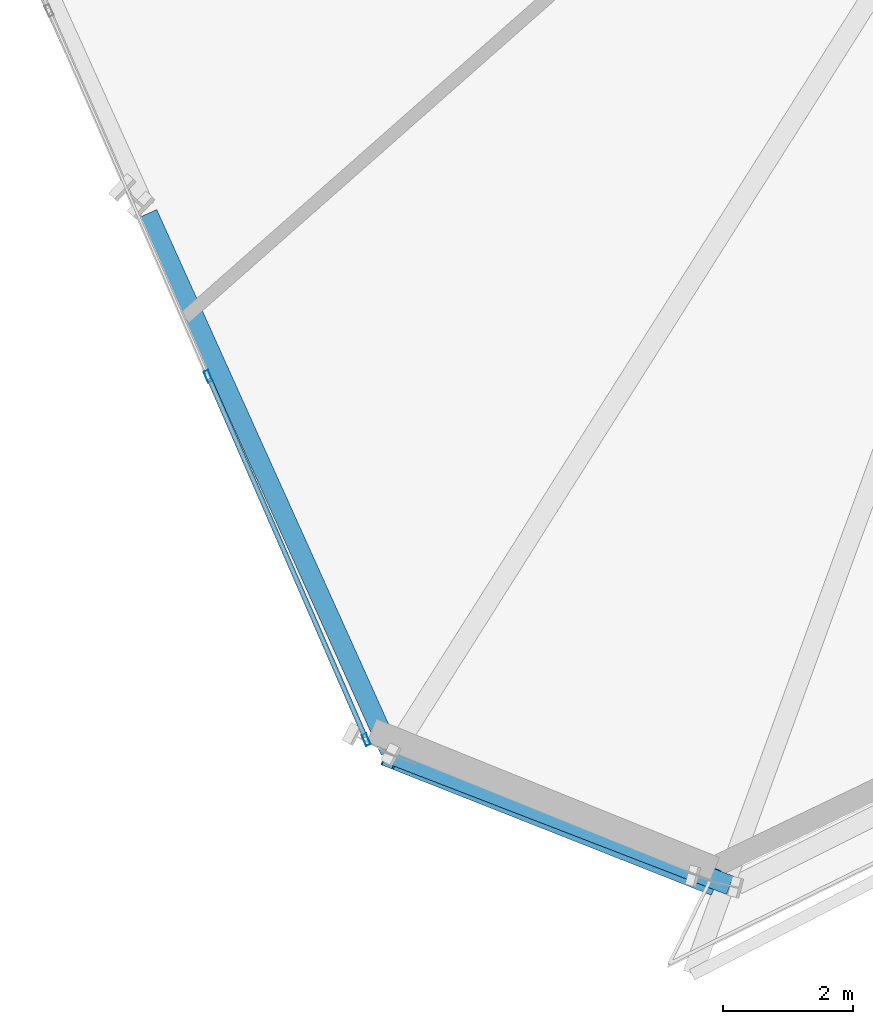
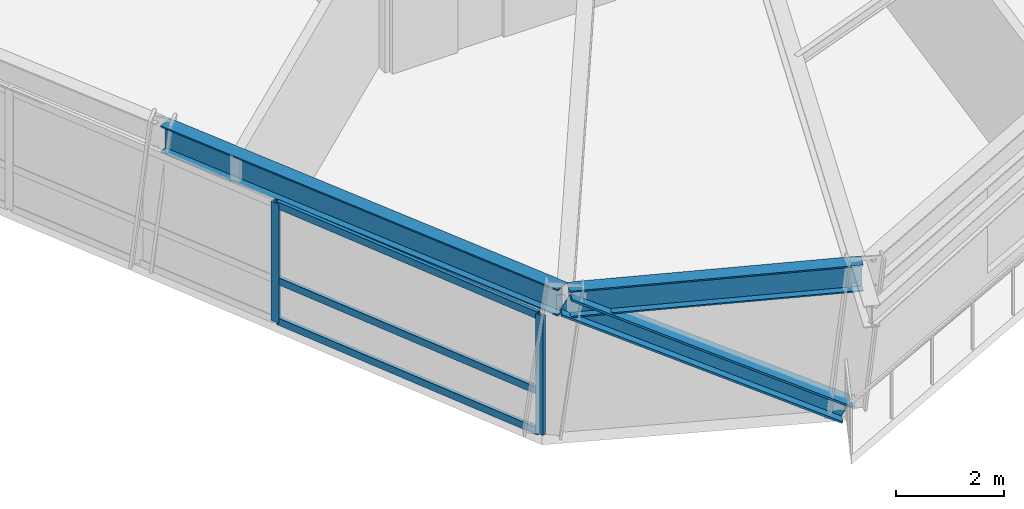
# One storey, part 2 of 19: 6 members, 2 beams, 1 element without a shape of its own.
"""IFC4 building model written with IfcOpenShell, lengths in metres."""

from ifc_helpers import new_model, si_unit, direction, frame, origin, origin_2d, place, context, subcontext, project, spatial, hollow_rectangle, i_section, extrude, source, transform, mapped, material, material_profile, profile_set, type_object, element, aggregate, save


model = new_model("IFC4")

# Units and contexts
model_context = context("Model", 3, precision=1e-05, world=origin(), true_north=direction((0.0, 1.0)))
body_context = subcontext(model_context, "Body", "Model", "MODEL_VIEW")
ifc_project = project(units=[si_unit("LENGTHUNIT", "METRE"), si_unit("AREAUNIT", "SQUARE_METRE"), si_unit("VOLUMEUNIT", "CUBIC_METRE"), si_unit("PLANEANGLEUNIT", "RADIAN"), si_unit("MASSUNIT", "GRAM", prefix="KILO")], contexts=[model_context])

# Site, building, storey
site_placement = place(None, origin())
site = spatial("IfcSite", under=ifc_project, at=site_placement, CompositionType="ELEMENT")
building_placement = place(site_placement, origin())
building = spatial("IfcBuilding", under=site, at=building_placement, Name="Olszyna Solenne Hotel", CompositionType="ELEMENT")
storey_placement = place(building_placement, frame((0.0, 0.0, 84.39990234375)))
storey = spatial("IfcBuildingStorey", under=building, at=storey_placement, Name="L21", CompositionType="ELEMENT", Elevation=84.39990234375)

# Beams
ifc_material_1 = material(Name="Steel S355J2", Category="steel")
ifc_material_profile_1 = material_profile(ifc_material_1, i_section(OverallWidth=0.300048828125, OverallDepth=0.60009765625, WebThickness=0.015380859375, FlangeThickness=0.030029296875, at=origin_2d()), Name="HEB 600", Category="load-bearing")
ifc_profile_set_1 = profile_set([ifc_material_profile_1], Name="Steel S355J2")
beam_type = type_object("IfcBeamType", Name="BM-S2", PredefinedType="BEAM", material=ifc_profile_set_1)
shared_shape_1 = source(origin(), body_context, "Body", "SweptSolid", [
    extrude(i_section(OverallWidth=0.300048828125, OverallDepth=0.60009765625, WebThickness=0.015380859375, FlangeThickness=0.030029296875, at=origin_2d()), origin(), (0.0, 0.0, 1.0), 9.043212890625),
])
beam_1_placement = place(storey_placement, frame((20.688232421875, 13.43359375, 3.0), z_axis=(0.41083720643, -0.911708719829, 0.0), x_axis=(0.911708719829, 0.41083720643, 0.0)))
element("IfcBeam", 1, at=beam_1_placement, inside=storey, type_object=beam_type, Name="Perimeter spandrel beam BM-S2 B-L21-0640", PredefinedType="BEAM", context=body_context, shape_type="MappedRepresentation", body=[
    mapped(shared_shape_1, transform((0.0, 0.0, 0.0), x_axis=(1.0, 0.0, 0.0), y_axis=(0.0, 1.0, 0.0), z_axis=(0.0, 0.0, 1.0), scale=1.0)),
])
shared_shape_2 = source(origin(), body_context, "Body", "SweptSolid", [
    extrude(i_section(OverallWidth=0.300048828125, OverallDepth=0.60009765625, WebThickness=0.015380859375, FlangeThickness=0.030029296875, at=origin_2d()), origin(), (0.0, 0.0, 1.0), 5.500732421875),
])
beam_2_placement = place(storey_placement, frame((24.484375, 5.1123046875, 3.0), z_axis=(0.932952684559, -0.35999901163, 0.0), x_axis=(0.35999901163, 0.932952684559, 0.0)))
element("IfcBeam", 2, at=beam_2_placement, inside=storey, type_object=beam_type, Name="Perimeter spandrel beam BM-S2 B-L21-0641", PredefinedType="BEAM", context=body_context, shape_type="MappedRepresentation", body=[
    mapped(shared_shape_2, transform((0.0, 0.0, 0.0), x_axis=(1.0, 0.0, 0.0), y_axis=(0.0, 1.0, 0.0), z_axis=(0.0, 0.0, 1.0), scale=1.0)),
])

# Member
ifc_material_2 = material(Name="Steel S460M", Category="steel")
ifc_material_profile_2 = material_profile(ifc_material_2, i_section(OverallWidth=0.406005859375, OverallDepth=0.416015625, WebThickness=0.026611328125, FlangeThickness=0.04150390625, at=origin_2d()), Name="HD 400x382", Category="load-bearing")
ifc_profile_set_2 = profile_set([ifc_material_profile_2], Name="Steel S460M")
member_type_1 = type_object("IfcMemberType", Name="BR-T2", PredefinedType="BRACE", material=ifc_profile_set_2)
shared_shape_3 = source(origin(), body_context, "Body", "SweptSolid", [
    extrude(i_section(OverallWidth=0.406005859375, OverallDepth=0.416015625, WebThickness=0.026611328125, FlangeThickness=0.04150390625, at=origin_2d()), origin(), (0.0, 0.0, 1.0), 6.0263671875),
])
member_1_placement = place(storey_placement, frame((29.310546875, 3.205810546875, 0.010009765625), z_axis=(-0.810151002691, 0.319960627025, 0.491203165698), x_axis=(-0.367329603866, -0.930090835415, 0.0)))
element("IfcMember", 3, at=member_1_placement, inside=storey, type_object=member_type_1, Name="Perimeter braced-tube diagonal BR-T2 BR-L21-3", PredefinedType="BRACE", context=body_context, shape_type="MappedRepresentation", body=[
    mapped(shared_shape_3, transform((0.0, 0.0, 0.0), x_axis=(1.0, 0.0, 0.0), y_axis=(0.0, 1.0, 0.0), z_axis=(0.0, 0.0, 1.0), scale=1.0)),
])

# Curtain wall, members
ifc_material_3 = material(Name="Anodised bronze aluminium", Category="aluminium")
curtain_wall_type = type_object("IfcCurtainWallType", Name="CW-SYS-3", PredefinedType="NOTDEFINED", material=ifc_material_3)
curtain_wall_placement = place(storey_placement, origin())
curtain_wall = element("IfcCurtainWall", 4, at=curtain_wall_placement, inside=storey, type_object=curtain_wall_type, Name="Unitised curtain wall CW-SYS-3 CW-L21-01", PredefinedType="NOTDEFINED")
ifc_material_profile_3 = material_profile(ifc_material_3, hollow_rectangle(XDim=0.074951171875, YDim=0.179931640625, WallThickness=0.00439453125, at=origin_2d()), Name="MULL 180x75x4.5", Category="load-bearing")
ifc_profile_set_3 = profile_set([ifc_material_profile_3], Name="Anodised bronze aluminium")
member_type_2 = type_object("IfcMemberType", Name="CW-M2", PredefinedType="MULLION", material=ifc_profile_set_3)
shared_shape_4 = source(origin(), body_context, "Body", "SweptSolid", [
    extrude(hollow_rectangle(XDim=0.074951171875, YDim=0.179931640625, WallThickness=0.00439453125, at=origin_2d()), origin(), (0.0, 0.0, 1.0), 2.692138671875),
])
member_2_placement = place(storey_placement, frame((21.612548828125, 10.93896484375, 0.0), z_axis=(0.0, 0.0, 1.0), x_axis=(0.917030626795, 0.398816786909, 0.0)))
member_2 = element("IfcMember", 5, at=member_2_placement, type_object=member_type_2, Name="Curtain-wall mullion CW-M2 CM-L21-01-03", PredefinedType="MULLION", context=body_context, shape_type="MappedRepresentation", body=[
    mapped(shared_shape_4, transform((0.0, 0.0, 0.0), x_axis=(1.0, 0.0, 0.0), y_axis=(0.0, 1.0, 0.0), z_axis=(0.0, 0.0, 1.0), scale=1.0)),
])
member_3_placement = place(storey_placement, frame((24.036865234375, 5.364990234375, 0.0), z_axis=(0.0, 0.0, 1.0), x_axis=(0.917030626795, 0.398816786909, 0.0)))
member_3 = element("IfcMember", 6, at=member_3_placement, type_object=member_type_2, Name="Curtain-wall mullion CW-M2 CM-L21-01-04", PredefinedType="MULLION", context=body_context, shape_type="MappedRepresentation", body=[
    mapped(shared_shape_4, transform((0.0, 0.0, 0.0), x_axis=(1.0, 0.0, 0.0), y_axis=(0.0, 1.0, 0.0), z_axis=(0.0, 0.0, 1.0), scale=1.0)),
])
ifc_material_profile_4 = material_profile(ifc_material_3, hollow_rectangle(XDim=0.074951171875, YDim=0.159912109375, WallThickness=0.00390625, at=origin_2d()), Name="TRAN 160x75x4", Category="load-bearing")
ifc_profile_set_4 = profile_set([ifc_material_profile_4], Name="Anodised bronze aluminium")
member_type_3 = type_object("IfcMemberType", Name="CW-T1", PredefinedType="USERDEFINED", material=ifc_profile_set_4)
shared_shape_5 = source(origin(), body_context, "Body", "SweptSolid", [
    extrude(hollow_rectangle(XDim=0.074951171875, YDim=0.159912109375, WallThickness=0.00390625, at=origin_2d()), origin(), (0.0, 0.0, 1.0), 6.003662109375),
])
member_4_placement = place(storey_placement, frame((21.62744140625, 10.90478515625, 0.03759765625), z_axis=(0.398801944836, -0.917037081472, 0.0), x_axis=(0.917037081472, 0.398801944836, 0.0)))
member_4 = element("IfcMember", 7, at=member_4_placement, type_object=member_type_3, Name="Curtain-wall transom CW-T1 CT-L21-01-07", ObjectType="TRANSOM", PredefinedType="USERDEFINED", context=body_context, shape_type="MappedRepresentation", body=[
    mapped(shared_shape_5, transform((0.0, 0.0, 0.0), x_axis=(1.0, 0.0, 0.0), y_axis=(0.0, 1.0, 0.0), z_axis=(0.0, 0.0, 1.0), scale=1.0)),
])
member_5_placement = place(storey_placement, frame((21.62744140625, 10.90478515625, 0.9501953125), z_axis=(0.398801944836, -0.917037081472, 0.0), x_axis=(0.917037081472, 0.398801944836, 0.0)))
member_5 = element("IfcMember", 8, at=member_5_placement, type_object=member_type_3, Name="Curtain-wall transom CW-T1 CT-L21-01-08", ObjectType="TRANSOM", PredefinedType="USERDEFINED", context=body_context, shape_type="MappedRepresentation", body=[
    mapped(shared_shape_5, transform((0.0, 0.0, 0.0), x_axis=(1.0, 0.0, 0.0), y_axis=(0.0, 1.0, 0.0), z_axis=(0.0, 0.0, 1.0), scale=1.0)),
])
member_6_placement = place(storey_placement, frame((21.62744140625, 10.90478515625, 2.654541015625), z_axis=(0.398801944836, -0.917037081472, 0.0), x_axis=(0.917037081472, 0.398801944836, 0.0)))
member_6 = element("IfcMember", 9, at=member_6_placement, type_object=member_type_3, Name="Curtain-wall transom CW-T1 CT-L21-01-09", ObjectType="TRANSOM", PredefinedType="USERDEFINED", context=body_context, shape_type="MappedRepresentation", body=[
    mapped(shared_shape_5, transform((0.0, 0.0, 0.0), x_axis=(1.0, 0.0, 0.0), y_axis=(0.0, 1.0, 0.0), z_axis=(0.0, 0.0, 1.0), scale=1.0)),
])
aggregate(curtain_wall, [member_2, member_3, member_4, member_5, member_6])

save(model, "model.ifc")
